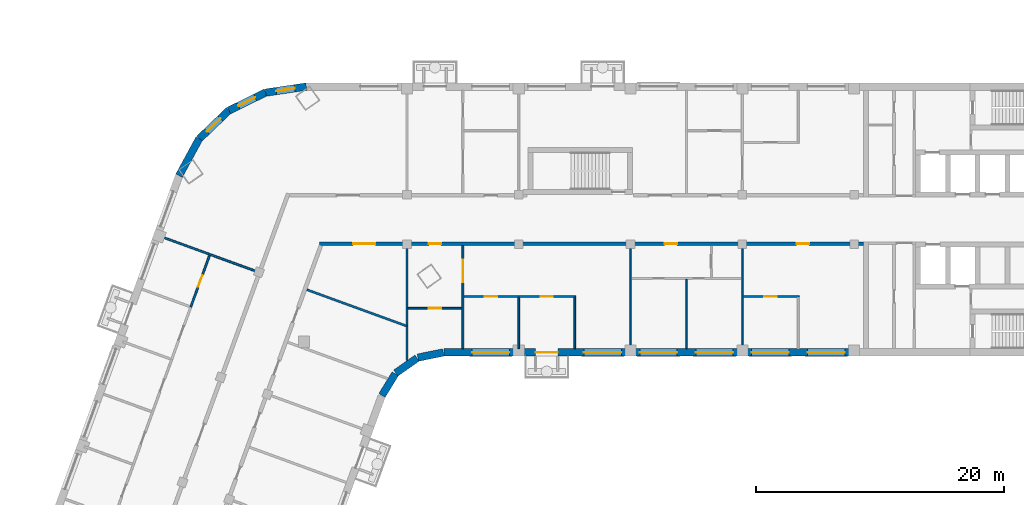
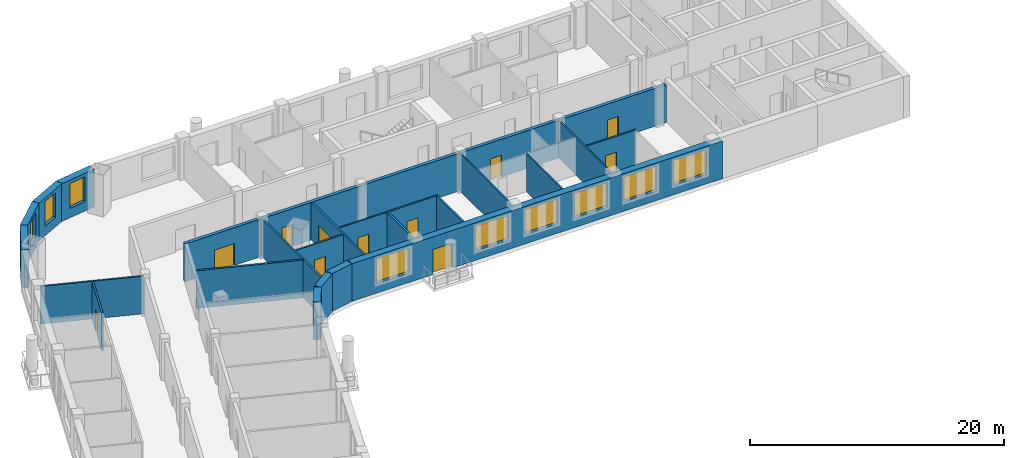
# One storey, part 4 of 16: 23 walls, 11 doors, 9 windows, 20 openings.
"""IFC4 building model written with IfcOpenShell, lengths in metres."""

from ifc_helpers import new_model, si_unit, direction, frame, frame_2d, origin, place, context, subcontext, project, spatial, rectangle, extrude, material, layer, layer_set, type_object, element, fill, save


model = new_model("IFC4")

# Units and contexts
model_context = context("Model", 3, precision=1e-05, world=origin(), true_north=direction((0.0, 1.0)))
body_context = subcontext(model_context, "Body", "Model", "MODEL_VIEW")
ifc_project = project(units=[si_unit("LENGTHUNIT", "METRE"), si_unit("AREAUNIT", "SQUARE_METRE"), si_unit("VOLUMEUNIT", "CUBIC_METRE"), si_unit("PLANEANGLEUNIT", "RADIAN"), si_unit("MASSUNIT", "GRAM", prefix="KILO")], contexts=[model_context])

# Site, building, storey
site_placement = place(None, origin())
site = spatial("IfcSite", under=ifc_project, at=site_placement, CompositionType="ELEMENT")
building_placement = place(site_placement, origin())
building = spatial("IfcBuilding", under=site, at=building_placement, Name="Skarvind Civic Tower", CompositionType="ELEMENT")
storey_placement = place(building_placement, frame((0.0, 0.0, 43.5)))
storey = spatial("IfcBuildingStorey", under=building, at=storey_placement, Name="L09", CompositionType="ELEMENT", Elevation=43.5)

# Walls
ifc_material_1 = material(Name="Acoustic gypsum board on steel studs", Category="steel")
ifc_layer_1 = layer(ifc_material_1, 0.175048828125)
ifc_layer_set_1 = layer_set([ifc_layer_1], Name="ACOUSTIC MEETING-ROOM PARTITION 175")
wall_type_1 = type_object("IfcWallType", Name="ACOUSTIC MEETING-ROOM PARTITION 175", PredefinedType="PARTITIONING", material=ifc_layer_set_1)
wall_1_placement = place(storey_placement, frame((54.25, 116.636962890625, 0.0), z_axis=(0.0, 0.0, 1.0), x_axis=(0.0, 1.0, 0.0)))
element("IfcWall", 1, at=wall_1_placement, inside=storey, type_object=wall_type_1, Name="Partition 09.018", PredefinedType="PARTITIONING", context=body_context, shape_type="SweptSolid", body=[
    extrude(rectangle(XDim=2.776123046875, YDim=0.175048828125, at=frame_2d((1.38818359375, 0.0))), origin(), (0.0, 0.0, 1.0), 3.625),
])
wall_2_placement = place(storey_placement, frame((54.320068359375, 119.384033203125, 0.0), z_axis=(0.0, 0.0, 1.0), x_axis=(-0.939632908118, 0.342184157994, 0.0)))
element("IfcWall", 2, at=wall_2_placement, inside=storey, type_object=wall_type_1, Name="Partition 09.019", PredefinedType="PARTITIONING", context=body_context, shape_type="SweptSolid", body=[
    extrude(rectangle(XDim=8.665283203125, YDim=0.175048828125, at=frame_2d((4.33251953125, 0.0))), origin(), (0.0, 0.0, 1.0), 3.625),
])

# Wall, openings, doors
ifc_material_2 = material(Name="Fire-rated gypsum board on steel studs", Category="steel")
ifc_layer_2 = layer(ifc_material_2, 0.300048828125)
ifc_layer_set_2 = layer_set([ifc_layer_2], Name="CORRIDOR WALL 300")
wall_type_2 = type_object("IfcWallType", Name="CORRIDOR WALL 300", PredefinedType="PARTITIONING", material=ifc_layer_set_2)
wall_3_placement = place(storey_placement, frame((91.0, 126.050048828125, 0.0), z_axis=(0.0, 0.0, 1.0), x_axis=(-1.0, 0.0, 0.0)))
wall_3 = element("IfcWall", 3, at=wall_3_placement, inside=storey, type_object=wall_type_2, Name="Partition 09.043", PredefinedType="PARTITIONING", context=body_context, shape_type="SweptSolid", body=[
    extrude(rectangle(XDim=43.784912109375, YDim=0.300048828125, at=frame_2d((21.892578125, 0.0))), origin(), (0.0, 0.0, 1.0), 3.625),
])
opening_1_placement = place(wall_3_placement, frame((4.375, 0.0, 0.0)))
opening_1 = element("IfcOpeningElement", 4, at=opening_1_placement, cuts=wall_3, Name="Opening L09-D010", PredefinedType="OPENING", context=body_context, shape_type="SweptSolid", body=[
    extrude(rectangle(XDim=1.0, YDim=2.10009765625, at=frame_2d((0.5, 1.050048828125))), frame((0.0, 0.159912109375, 0.0), z_axis=(0.0, -1.0, 0.0), x_axis=(1.0, 0.0, 0.0)), (0.0, 0.0, 1.0), 0.320068359375),
])
opening_2_placement = place(wall_3_placement, frame((15.0, 0.0, 0.0)))
opening_2 = element("IfcOpeningElement", 5, at=opening_2_placement, cuts=wall_3, Name="Opening L09-D011", PredefinedType="OPENING", context=body_context, shape_type="SweptSolid", body=[
    extrude(rectangle(XDim=1.0, YDim=2.10009765625, at=frame_2d((0.5, 1.050048828125))), frame((0.0, 0.159912109375, 0.0), z_axis=(0.0, -1.0, 0.0), x_axis=(1.0, 0.0, 0.0)), (0.0, 0.0, 1.0), 0.320068359375),
])
opening_3_placement = place(wall_3_placement, frame((34.0, 0.0, 0.0)))
opening_3 = element("IfcOpeningElement", 6, at=opening_3_placement, cuts=wall_3, Name="Opening L09-D015", PredefinedType="OPENING", context=body_context, shape_type="SweptSolid", body=[
    extrude(rectangle(XDim=1.0, YDim=2.10009765625, at=frame_2d((0.5, 1.050048828125))), frame((0.0, 0.159912109375, 0.0), z_axis=(0.0, -1.0, 0.0), x_axis=(1.0, 0.0, 0.0)), (0.0, 0.0, 1.0), 0.320068359375),
])
opening_4_placement = place(wall_3_placement, frame((39.2958984375, 0.0, 0.0)))
opening_4 = element("IfcOpeningElement", 7, at=opening_4_placement, cuts=wall_3, Name="Opening L09-D033", PredefinedType="OPENING", context=body_context, shape_type="SweptSolid", body=[
    extrude(rectangle(XDim=1.800048828125, YDim=2.10009765625, at=frame_2d((0.89990234375, 1.050048828125))), frame((0.0, 0.159912109375, 0.0), z_axis=(0.0, -1.0, 0.0), x_axis=(1.0, 0.0, 0.0)), (0.0, 0.0, 1.0), 0.320068359375),
])
ifc_material_3 = material(Name="Fire-rated timber door leaf", Category="wood")
door_type_1 = type_object("IfcDoorType", Name="FD1 1000x2100", OperationType="NOTDEFINED", PredefinedType="DOOR", material=ifc_material_3)
door_1_placement = place(opening_1_placement, origin())
door_1 = element("IfcDoor", 8, at=door_1_placement, inside=storey, type_object=door_type_1, Name="Door L09-D010", OperationType="SINGLE_SWING_LEFT", OverallHeight=2.10009765625, OverallWidth=1.0, PredefinedType="DOOR", context=body_context, shape_type="SweptSolid", body=[
    extrude(rectangle(XDim=1.0, YDim=2.10009765625, at=frame_2d((0.5, 1.050048828125))), frame((0.0, 0.02490234375, 0.0), z_axis=(0.0, -1.0, 0.0), x_axis=(1.0, 0.0, 0.0)), (0.0, 0.0, 1.0), 0.050048828125),
])
fill(opening_1, door_1)
door_2_placement = place(opening_2_placement, origin())
door_2 = element("IfcDoor", 9, at=door_2_placement, inside=storey, type_object=door_type_1, Name="Door L09-D011", OperationType="SINGLE_SWING_LEFT", OverallHeight=2.10009765625, OverallWidth=1.0, PredefinedType="DOOR", context=body_context, shape_type="SweptSolid", body=[
    extrude(rectangle(XDim=1.0, YDim=2.10009765625, at=frame_2d((0.5, 1.050048828125))), frame((0.0, 0.02490234375, 0.0), z_axis=(0.0, -1.0, 0.0), x_axis=(1.0, 0.0, 0.0)), (0.0, 0.0, 1.0), 0.050048828125),
])
fill(opening_2, door_2)
door_3_placement = place(opening_3_placement, origin())
door_3 = element("IfcDoor", 10, at=door_3_placement, inside=storey, type_object=door_type_1, Name="Door L09-D015", OperationType="SINGLE_SWING_LEFT", OverallHeight=2.10009765625, OverallWidth=1.0, PredefinedType="DOOR", context=body_context, shape_type="SweptSolid", body=[
    extrude(rectangle(XDim=1.0, YDim=2.10009765625, at=frame_2d((0.5, 1.050048828125))), frame((0.0, 0.02490234375, 0.0), z_axis=(0.0, -1.0, 0.0), x_axis=(1.0, 0.0, 0.0)), (0.0, 0.0, 1.0), 0.050048828125),
])
fill(opening_3, door_3)
door_type_2 = type_object("IfcDoorType", Name="FD4 1800x2100", OperationType="NOTDEFINED", PredefinedType="DOOR", material=ifc_material_3)
door_4_placement = place(opening_4_placement, origin())
door_4 = element("IfcDoor", 11, at=door_4_placement, inside=storey, type_object=door_type_2, Name="Door L09-D033", OperationType="DOUBLE_DOOR_SINGLE_SWING", OverallHeight=2.10009765625, OverallWidth=1.800048828125, PredefinedType="DOOR", context=body_context, shape_type="SweptSolid", body=[
    extrude(rectangle(XDim=1.800048828125, YDim=2.10009765625, at=frame_2d((0.89990234375, 1.050048828125))), frame((0.0, 0.02490234375, 0.0), z_axis=(0.0, -1.0, 0.0), x_axis=(1.0, 0.0, 0.0)), (0.0, 0.0, 1.0), 0.050048828125),
])
fill(opening_4, door_4)

# Wall
ifc_material_4 = material(Name="Plasterboard partition on steel studs", Category="steel")
ifc_layer_3 = layer(ifc_material_4, 0.14990234375)
ifc_layer_set_3 = layer_set([ifc_layer_3], Name="PARTITION 150")
wall_type_3 = type_object("IfcWallType", Name="PARTITION 150", PredefinedType="PARTITIONING", material=ifc_layer_set_3)
wall_4_placement = place(storey_placement, frame((34.430908203125, 126.6240234375, 0.0), z_axis=(0.0, 0.0, 1.0), x_axis=(0.939687752599, -0.342033518263, 0.0)))
element("IfcWall", 12, at=wall_4_placement, inside=storey, type_object=wall_type_3, Name="Partition 09.007", PredefinedType="PARTITIONING", context=body_context, shape_type="SweptSolid", body=[
    extrude(rectangle(XDim=8.30078125, YDim=0.14990234375, at=frame_2d((4.150390625, 0.0))), origin(), (0.0, 0.0, 1.0), 3.625),
])

# Wall, opening, door
wall_5_placement = place(storey_placement, frame((38.35205078125, 125.116943359375, 0.0), z_axis=(0.0, 0.0, 1.0), x_axis=(-0.34193355862, -0.939724130524, 0.0)))
wall_5 = element("IfcWall", 13, at=wall_5_placement, inside=storey, type_object=wall_type_3, Name="Partition 09.010", PredefinedType="PARTITIONING", context=body_context, shape_type="SweptSolid", body=[
    extrude(rectangle(XDim=4.424560546875, YDim=0.14990234375, at=frame_2d((2.21240234375, 0.0))), origin(), (0.0, 0.0, 1.0), 3.625),
])
opening_5_placement = place(wall_5_placement, frame((1.702392578125, 0.0, 0.0)))
opening_5 = element("IfcOpeningElement", 14, at=opening_5_placement, cuts=wall_5, Name="Opening L09-D024", PredefinedType="OPENING", context=body_context, shape_type="SweptSolid", body=[
    extrude(rectangle(XDim=1.0, YDim=2.10009765625, at=frame_2d((0.5, 1.050048828125))), frame((0.0, 0.0849609375, 0.0), z_axis=(0.0, -1.0, 0.0), x_axis=(1.0, 0.0, 0.0)), (0.0, 0.0, 1.0), 0.169921875),
])
ifc_material_5 = material(Name="Timber door leaf", Category="wood")
door_type_3 = type_object("IfcDoorType", Name="D1 1000x2100", OperationType="NOTDEFINED", PredefinedType="DOOR", material=ifc_material_5)
door_5_placement = place(opening_5_placement, origin())
door_5 = element("IfcDoor", 15, at=door_5_placement, inside=storey, type_object=door_type_3, Name="Door L09-D024", OperationType="SINGLE_SWING_RIGHT", OverallHeight=2.10009765625, OverallWidth=1.0, PredefinedType="DOOR", context=body_context, shape_type="SweptSolid", body=[
    extrude(rectangle(XDim=1.0, YDim=2.10009765625, at=frame_2d((0.5, 1.050048828125))), frame((0.0, 0.02490234375, 0.0), z_axis=(0.0, -1.0, 0.0), x_axis=(1.0, 0.0, 0.0)), (0.0, 0.0, 1.0), 0.050048828125),
])
fill(opening_5, door_5)

# Wall
wall_6_placement = place(storey_placement, frame((54.25, 119.498046875, 0.0), z_axis=(0.0, 0.0, 1.0), x_axis=(0.0, 1.0, 0.0)))
element("IfcWall", 16, at=wall_6_placement, inside=storey, type_object=wall_type_3, Name="Partition 09.020", PredefinedType="PARTITIONING", context=body_context, shape_type="SweptSolid", body=[
    extrude(rectangle(XDim=6.40185546875, YDim=0.14990234375, at=frame_2d((3.200927734375, 0.0))), origin(), (0.0, 0.0, 1.0), 3.625),
])

# Wall, opening, door
wall_7_placement = place(storey_placement, frame((54.324951171875, 120.85009765625, 0.0), z_axis=(0.0, 0.0, 1.0), x_axis=(1.0, 0.0, 0.0)))
wall_7 = element("IfcWall", 17, at=wall_7_placement, inside=storey, type_object=wall_type_3, Name="Partition 09.021", PredefinedType="PARTITIONING", context=body_context, shape_type="SweptSolid", body=[
    extrude(rectangle(XDim=4.35009765625, YDim=0.14990234375, at=frame_2d((2.175048828125, 0.0))), origin(), (0.0, 0.0, 1.0), 3.625),
])
opening_6_placement = place(wall_7_placement, frame((1.675048828125, 0.0, 0.0)))
opening_6 = element("IfcOpeningElement", 18, at=opening_6_placement, cuts=wall_7, Name="Opening L09-D018", PredefinedType="OPENING", context=body_context, shape_type="SweptSolid", body=[
    extrude(rectangle(XDim=1.0, YDim=2.10009765625, at=frame_2d((0.5, 1.050048828125))), frame((0.0, 0.0849609375, 0.0), z_axis=(0.0, -1.0, 0.0), x_axis=(1.0, 0.0, 0.0)), (0.0, 0.0, 1.0), 0.169921875),
])
door_6_placement = place(opening_6_placement, origin())
door_6 = element("IfcDoor", 19, at=door_6_placement, inside=storey, type_object=door_type_3, Name="Door L09-D018", OperationType="SINGLE_SWING_LEFT", OverallHeight=2.10009765625, OverallWidth=1.0, PredefinedType="DOOR", context=body_context, shape_type="SweptSolid", body=[
    extrude(rectangle(XDim=1.0, YDim=2.10009765625, at=frame_2d((0.5, 1.050048828125))), frame((0.0, 0.02490234375, 0.0), z_axis=(0.0, -1.0, 0.0), x_axis=(1.0, 0.0, 0.0)), (0.0, 0.0, 1.0), 0.050048828125),
])
fill(opening_6, door_6)

wall_8_placement = place(storey_placement, frame((58.75, 117.60009765625, 0.0), z_axis=(0.0, 0.0, 1.0), x_axis=(0.0, 1.0, 0.0)))
wall_8 = element("IfcWall", 20, at=wall_8_placement, inside=storey, type_object=wall_type_3, Name="Partition 09.023", PredefinedType="PARTITIONING", context=body_context, shape_type="SweptSolid", body=[
    extrude(rectangle(XDim=8.2998046875, YDim=0.14990234375, at=frame_2d((4.14990234375, 0.0))), origin(), (0.0, 0.0, 1.0), 3.625),
])
opening_7_placement = place(wall_8_placement, frame((5.360107421875, 0.0, 0.0)))
opening_7 = element("IfcOpeningElement", 21, at=opening_7_placement, cuts=wall_8, Name="Opening L09-D019", PredefinedType="OPENING", context=body_context, shape_type="SweptSolid", body=[
    extrude(rectangle(XDim=1.800048828125, YDim=2.10009765625, at=frame_2d((0.89990234375, 1.050048828125))), frame((0.0, 0.0849609375, 0.0), z_axis=(0.0, -1.0, 0.0), x_axis=(1.0, 0.0, 0.0)), (0.0, 0.0, 1.0), 0.169921875),
])
door_type_4 = type_object("IfcDoorType", Name="D4 1800x2100", OperationType="NOTDEFINED", PredefinedType="DOOR", material=ifc_material_5)
door_7_placement = place(opening_7_placement, origin())
door_7 = element("IfcDoor", 22, at=door_7_placement, inside=storey, type_object=door_type_4, Name="Door L09-D019", OperationType="DOUBLE_DOOR_SINGLE_SWING", OverallHeight=2.10009765625, OverallWidth=1.800048828125, PredefinedType="DOOR", context=body_context, shape_type="SweptSolid", body=[
    extrude(rectangle(XDim=1.800048828125, YDim=2.10009765625, at=frame_2d((0.89990234375, 1.050048828125))), frame((0.0, 0.02490234375, 0.0), z_axis=(0.0, -1.0, 0.0), x_axis=(1.0, 0.0, 0.0)), (0.0, 0.0, 1.0), 0.050048828125),
])
fill(opening_7, door_7)

# Wall, openings, doors
wall_9_placement = place(storey_placement, frame((58.824951171875, 121.800048828125, 0.0), z_axis=(0.0, 0.0, 1.0), x_axis=(1.0, 0.0, 0.0)))
wall_9 = element("IfcWall", 23, at=wall_9_placement, inside=storey, type_object=wall_type_3, Name="Partition 09.024", PredefinedType="PARTITIONING", context=body_context, shape_type="SweptSolid", body=[
    extrude(rectangle(XDim=9.0, YDim=0.14990234375, at=frame_2d((4.5, 0.0))), origin(), (0.0, 0.0, 1.0), 3.625),
])
opening_8_placement = place(wall_9_placement, frame((1.702392578125, 0.0, 0.0)))
opening_8 = element("IfcOpeningElement", 24, at=opening_8_placement, cuts=wall_9, Name="Opening L09-D016", PredefinedType="OPENING", context=body_context, shape_type="SweptSolid", body=[
    extrude(rectangle(XDim=1.0, YDim=2.10009765625, at=frame_2d((0.5, 1.050048828125))), frame((0.0, 0.0849609375, 0.0), z_axis=(0.0, -1.0, 0.0), x_axis=(1.0, 0.0, 0.0)), (0.0, 0.0, 1.0), 0.169921875),
])
opening_9_placement = place(wall_9_placement, frame((6.175048828125, 0.0, 0.0)))
opening_9 = element("IfcOpeningElement", 25, at=opening_9_placement, cuts=wall_9, Name="Opening L09-D017", PredefinedType="OPENING", context=body_context, shape_type="SweptSolid", body=[
    extrude(rectangle(XDim=1.0, YDim=2.10009765625, at=frame_2d((0.5, 1.050048828125))), frame((0.0, 0.0849609375, 0.0), z_axis=(0.0, -1.0, 0.0), x_axis=(1.0, 0.0, 0.0)), (0.0, 0.0, 1.0), 0.169921875),
])
door_8_placement = place(opening_8_placement, origin())
door_8 = element("IfcDoor", 26, at=door_8_placement, inside=storey, type_object=door_type_3, Name="Door L09-D016", OperationType="SINGLE_SWING_LEFT", OverallHeight=2.10009765625, OverallWidth=1.0, PredefinedType="DOOR", context=body_context, shape_type="SweptSolid", body=[
    extrude(rectangle(XDim=1.0, YDim=2.10009765625, at=frame_2d((0.5, 1.050048828125))), frame((0.0, 0.02490234375, 0.0), z_axis=(0.0, -1.0, 0.0), x_axis=(1.0, 0.0, 0.0)), (0.0, 0.0, 1.0), 0.050048828125),
])
fill(opening_8, door_8)
door_9_placement = place(opening_9_placement, origin())
door_9 = element("IfcDoor", 27, at=door_9_placement, inside=storey, type_object=door_type_3, Name="Door L09-D017", OperationType="SINGLE_SWING_RIGHT", OverallHeight=2.10009765625, OverallWidth=1.0, PredefinedType="DOOR", context=body_context, shape_type="SweptSolid", body=[
    extrude(rectangle(XDim=1.0, YDim=2.10009765625, at=frame_2d((0.5, 1.050048828125))), frame((0.0, 0.02490234375, 0.0), z_axis=(0.0, -1.0, 0.0), x_axis=(1.0, 0.0, 0.0)), (0.0, 0.0, 1.0), 0.050048828125),
])
fill(opening_9, door_9)

# Walls
for number, where, z_axis, x_axis, name in (
    (28, (63.25, 121.72509765625, 0.0), (0.0, 0.0, 1.0), (0.0, -1.0, 0.0), "Partition 09.026"),
    (29, (67.75, 117.60009765625, 0.0), (0.0, 0.0, 1.0), (0.0, 1.0, 0.0), "Partition 09.029"),
):
    element("IfcWall", number, at=place(storey_placement, frame(where, z_axis=z_axis, x_axis=x_axis)), inside=storey, type_object=wall_type_3, Name=name, PredefinedType="PARTITIONING", context=body_context, shape_type="SweptSolid", body=[
        extrude(rectangle(XDim=4.125, YDim=0.14990234375, at=frame_2d((2.0625, 0.0))), origin(), (0.0, 0.0, 1.0), 3.625),
    ])

# Wall, opening, door
wall_10_placement = place(storey_placement, frame((81.31201171875, 121.800048828125, 0.0), z_axis=(0.0, 0.0, 1.0), x_axis=(1.0, 0.0, 0.0)))
wall_10 = element("IfcWall", 30, at=wall_10_placement, inside=storey, type_object=wall_type_3, Name="Partition 09.041", PredefinedType="PARTITIONING", context=body_context, shape_type="SweptSolid", body=[
    extrude(rectangle(XDim=4.512939453125, YDim=0.14990234375, at=frame_2d((2.25634765625, 0.0))), origin(), (0.0, 0.0, 1.0), 3.625),
])
opening_10_placement = place(wall_10_placement, frame((1.708984375, 0.0, 0.0)))
opening_10 = element("IfcOpeningElement", 31, at=opening_10_placement, cuts=wall_10, Name="Opening L09-D009", PredefinedType="OPENING", context=body_context, shape_type="SweptSolid", body=[
    extrude(rectangle(XDim=1.0, YDim=2.10009765625, at=frame_2d((0.5, 1.050048828125))), frame((0.0, 0.0849609375, 0.0), z_axis=(0.0, -1.0, 0.0), x_axis=(1.0, 0.0, 0.0)), (0.0, 0.0, 1.0), 0.169921875),
])
door_10_placement = place(opening_10_placement, origin())
door_10 = element("IfcDoor", 32, at=door_10_placement, inside=storey, type_object=door_type_3, Name="Door L09-D009", OperationType="SINGLE_SWING_LEFT", OverallHeight=2.10009765625, OverallWidth=1.0, PredefinedType="DOOR", context=body_context, shape_type="SweptSolid", body=[
    extrude(rectangle(XDim=1.0, YDim=2.10009765625, at=frame_2d((0.5, 1.050048828125))), frame((0.0, 0.02490234375, 0.0), z_axis=(0.0, -1.0, 0.0), x_axis=(1.0, 0.0, 0.0)), (0.0, 0.0, 1.0), 0.050048828125),
])
fill(opening_10, door_10)

# Walls
ifc_material_6 = material(Name="Moisture-resistant gypsum board on steel studs", Category="steel")
ifc_layer_4 = layer(ifc_material_6, 0.125)
ifc_layer_set_4 = layer_set([ifc_layer_4], Name="WC PARTITION 125")
wall_type_4 = type_object("IfcWallType", Name="WC PARTITION 125", PredefinedType="PARTITIONING", material=ifc_layer_set_4)
wall_11_placement = place(storey_placement, frame((72.25, 117.60009765625, 0.0), z_axis=(0.0, 0.0, 1.0), x_axis=(0.0, 1.0, 0.0)))
element("IfcWall", 33, at=wall_11_placement, inside=storey, type_object=wall_type_4, Name="Partition 09.030", PredefinedType="PARTITIONING", context=body_context, shape_type="SweptSolid", body=[
    extrude(rectangle(XDim=8.2998046875, YDim=0.125, at=frame_2d((4.14990234375, 0.0))), origin(), (0.0, 0.0, 1.0), 3.625),
])
wall_12_placement = place(storey_placement, frame((76.75, 117.60009765625, 0.0), z_axis=(0.0, 0.0, 1.0), x_axis=(0.0, 1.0, 0.0)))
element("IfcWall", 34, at=wall_12_placement, inside=storey, type_object=wall_type_4, Name="Partition 09.033", PredefinedType="PARTITIONING", context=body_context, shape_type="SweptSolid", body=[
    extrude(rectangle(XDim=5.587890625, YDim=0.125, at=frame_2d((2.7939453125, 0.0))), origin(), (0.0, 0.0, 1.0), 3.625),
])
wall_13_placement = place(storey_placement, frame((81.25, 117.60009765625, 0.0), z_axis=(0.0, 0.0, 1.0), x_axis=(0.0, 1.0, 0.0)))
element("IfcWall", 35, at=wall_13_placement, inside=storey, type_object=wall_type_4, Name="Partition 09.036", PredefinedType="PARTITIONING", context=body_context, shape_type="SweptSolid", body=[
    extrude(rectangle(XDim=8.2998046875, YDim=0.125, at=frame_2d((4.14990234375, 0.0))), origin(), (0.0, 0.0, 1.0), 3.625),
])
ifc_material_7 = material(Name="Limestone masonry cladding on insulated backing", Category="masonry")
ifc_layer_5 = layer(ifc_material_7, 0.60009765625)
ifc_layer_set_5 = layer_set([ifc_layer_5], Name="WX1 STONE FACADE WALL 600")
wall_type_5 = type_object("IfcWallType", Name="WX1 STONE FACADE WALL 600", PredefinedType="SOLIDWALL", material=ifc_layer_set_5)
wall_14_placement = place(storey_placement, frame((53.30517578125, 115.578369140625, 0.0), z_axis=(0.0, 0.0, 1.0), x_axis=(-0.522402266438, -0.852699168535, 0.0)))
element("IfcWall", 36, at=wall_14_placement, inside=storey, type_object=wall_type_5, Name="STONE FACADE WALL", PredefinedType="SOLIDWALL", context=body_context, shape_type="SweptSolid", body=[
    extrude(rectangle(XDim=2.042236328125, YDim=0.60009765625, at=frame_2d((1.02099609375, 0.0))), origin(), (0.0, 0.0, 1.0), 3.625),
])
for number, where, z_axis, x_axis, name in (
    (37, (55.061767578125, 116.8388671875, 0.0), (0.0, 0.0, 1.0), (-0.819122269495, -0.573618956815, 0.0), "STONE FACADE WALL"),
    (38, (57.17529296875, 117.2939453125, 0.0), (0.0, 0.0, 1.0), (-0.97996099083, -0.19918949885, 0.0), "STONE FACADE WALL"),
):
    element("IfcWall", number, at=place(storey_placement, frame(where, z_axis=z_axis, x_axis=x_axis)), inside=storey, type_object=wall_type_5, Name=name, PredefinedType="SOLIDWALL", context=body_context, shape_type="SweptSolid", body=[
        extrude(rectangle(XDim=2.09228515625, YDim=0.60009765625, at=frame_2d((1.046142578125, 0.0))), origin(), (0.0, 0.0, 1.0), 3.625),
    ])

# Wall, openings, door, windows
wall_15_placement = place(storey_placement, frame((90.97998046875, 117.300048828125, 0.0), z_axis=(0.0, 0.0, 1.0), x_axis=(-1.0, 0.0, 0.0)))
wall_15 = element("IfcWall", 39, at=wall_15_placement, inside=storey, type_object=wall_type_5, Name="STONE FACADE WALL", PredefinedType="SOLIDWALL", context=body_context, shape_type="SweptSolid", body=[
    extrude(rectangle(XDim=33.744873046875, YDim=0.60009765625, at=frame_2d((16.87255859375, 0.0))), origin(), (0.0, 0.0, 1.0), 3.625),
])
opening_11_placement = place(wall_15_placement, frame((1.47998046875, 0.0, 0.89990234375)))
opening_11 = element("IfcOpeningElement", 40, at=opening_11_placement, cuts=wall_15, Name="Opening WN1", PredefinedType="OPENING", context=body_context, shape_type="SweptSolid", body=[
    extrude(rectangle(XDim=3.0, YDim=2.39990234375, at=frame_2d((1.5, 1.199951171875))), frame((0.0, 0.31005859375, 0.0), z_axis=(0.0, -1.0, 0.0), x_axis=(1.0, 0.0, 0.0)), (0.0, 0.0, 1.0), 0.6201171875),
])
opening_12_placement = place(wall_15_placement, frame((5.97998046875, 0.0, 0.89990234375)))
opening_12 = element("IfcOpeningElement", 41, at=opening_12_placement, cuts=wall_15, Name="Opening WN1", PredefinedType="OPENING", context=body_context, shape_type="SweptSolid", body=[
    extrude(rectangle(XDim=3.0, YDim=2.39990234375, at=frame_2d((1.5, 1.199951171875))), frame((0.0, 0.31005859375, 0.0), z_axis=(0.0, -1.0, 0.0), x_axis=(1.0, 0.0, 0.0)), (0.0, 0.0, 1.0), 0.6201171875),
])
opening_13_placement = place(wall_15_placement, frame((10.47998046875, 0.0, 0.89990234375)))
opening_13 = element("IfcOpeningElement", 42, at=opening_13_placement, cuts=wall_15, Name="Opening WN1", PredefinedType="OPENING", context=body_context, shape_type="SweptSolid", body=[
    extrude(rectangle(XDim=3.0, YDim=2.39990234375, at=frame_2d((1.5, 1.199951171875))), frame((0.0, 0.31005859375, 0.0), z_axis=(0.0, -1.0, 0.0), x_axis=(1.0, 0.0, 0.0)), (0.0, 0.0, 1.0), 0.6201171875),
])
opening_14_placement = place(wall_15_placement, frame((14.97998046875, 0.0, 0.89990234375)))
opening_14 = element("IfcOpeningElement", 43, at=opening_14_placement, cuts=wall_15, Name="Opening WN1", PredefinedType="OPENING", context=body_context, shape_type="SweptSolid", body=[
    extrude(rectangle(XDim=3.0, YDim=2.39990234375, at=frame_2d((1.5, 1.199951171875))), frame((0.0, 0.31005859375, 0.0), z_axis=(0.0, -1.0, 0.0), x_axis=(1.0, 0.0, 0.0)), (0.0, 0.0, 1.0), 0.6201171875),
])
opening_15_placement = place(wall_15_placement, frame((19.47998046875, 0.0, 0.89990234375)))
opening_15 = element("IfcOpeningElement", 44, at=opening_15_placement, cuts=wall_15, Name="Opening WN1", PredefinedType="OPENING", context=body_context, shape_type="SweptSolid", body=[
    extrude(rectangle(XDim=3.0, YDim=2.39990234375, at=frame_2d((1.5, 1.199951171875))), frame((0.0, 0.31005859375, 0.0), z_axis=(0.0, -1.0, 0.0), x_axis=(1.0, 0.0, 0.0)), (0.0, 0.0, 1.0), 0.6201171875),
])
opening_16_placement = place(wall_15_placement, frame((24.580078125, 0.0, 0.0)))
opening_16 = element("IfcOpeningElement", 45, at=opening_16_placement, cuts=wall_15, Name="Opening DX3", PredefinedType="OPENING", context=body_context, shape_type="SweptSolid", body=[
    extrude(rectangle(XDim=1.800048828125, YDim=2.39990234375, at=frame_2d((0.89990234375, 1.199951171875))), frame((0.0, 0.31005859375, 0.0), z_axis=(0.0, -1.0, 0.0), x_axis=(1.0, 0.0, 0.0)), (0.0, 0.0, 1.0), 0.6201171875),
])
opening_17_placement = place(wall_15_placement, frame((28.47998046875, 0.0, 0.89990234375)))
opening_17 = element("IfcOpeningElement", 46, at=opening_17_placement, cuts=wall_15, Name="Opening WN1", PredefinedType="OPENING", context=body_context, shape_type="SweptSolid", body=[
    extrude(rectangle(XDim=3.0, YDim=2.39990234375, at=frame_2d((1.5, 1.199951171875))), frame((0.0, 0.31005859375, 0.0), z_axis=(0.0, -1.0, 0.0), x_axis=(1.0, 0.0, 0.0)), (0.0, 0.0, 1.0), 0.6201171875),
])
ifc_material_8 = material(Name="Timber and glass doorset", Category="wood")
door_type_5 = type_object("IfcDoorType", Name="DX3 TERRACE DOORS 1800 x 2400", OperationType="NOTDEFINED", PredefinedType="DOOR", material=ifc_material_8)
door_11_placement = place(opening_16_placement, origin())
door_11 = element("IfcDoor", 47, at=door_11_placement, inside=storey, type_object=door_type_5, Name="TERRACE DOORS", OperationType="DOUBLE_DOOR_SINGLE_SWING", OverallHeight=2.39990234375, OverallWidth=1.800048828125, PredefinedType="DOOR", context=body_context, shape_type="SweptSolid", body=[
    extrude(rectangle(XDim=1.800048828125, YDim=2.39990234375, at=frame_2d((0.89990234375, 1.199951171875))), frame((0.0, 0.02490234375, 0.0), z_axis=(0.0, -1.0, 0.0), x_axis=(1.0, 0.0, 0.0)), (0.0, 0.0, 1.0), 0.050048828125),
])
fill(opening_16, door_11)
ifc_material_9 = material(Name="Timber frame, double glazing, timber-lined reveal", Category="wood")
window_type_1 = type_object("IfcWindowType", Name="WN1 PUNCHED STONE WINDOW 3000 x 2400", PartitioningType="SINGLE_PANEL", PredefinedType="WINDOW", material=ifc_material_9)
window_1_placement = place(opening_11_placement, origin())
window_1 = element("IfcWindow", 48, at=window_1_placement, inside=storey, type_object=window_type_1, Name="WN1 WINDOW", OverallHeight=2.39990234375, OverallWidth=3.0, PartitioningType="SINGLE_PANEL", PredefinedType="WINDOW", context=body_context, shape_type="SweptSolid", body=[
    extrude(rectangle(XDim=3.0, YDim=2.39990234375, at=frame_2d((1.5, 1.199951171875))), frame((0.0, 0.030029296875, 0.0), z_axis=(0.0, -1.0, 0.0), x_axis=(1.0, 0.0, 0.0)), (0.0, 0.0, 1.0), 0.06005859375),
])
fill(opening_11, window_1)
window_2_placement = place(opening_12_placement, origin())
window_2 = element("IfcWindow", 49, at=window_2_placement, inside=storey, type_object=window_type_1, Name="WN1 WINDOW", OverallHeight=2.39990234375, OverallWidth=3.0, PartitioningType="SINGLE_PANEL", PredefinedType="WINDOW", context=body_context, shape_type="SweptSolid", body=[
    extrude(rectangle(XDim=3.0, YDim=2.39990234375, at=frame_2d((1.5, 1.199951171875))), frame((0.0, 0.030029296875, 0.0), z_axis=(0.0, -1.0, 0.0), x_axis=(1.0, 0.0, 0.0)), (0.0, 0.0, 1.0), 0.06005859375),
])
fill(opening_12, window_2)
window_3_placement = place(opening_13_placement, origin())
window_3 = element("IfcWindow", 50, at=window_3_placement, inside=storey, type_object=window_type_1, Name="WN1 WINDOW", OverallHeight=2.39990234375, OverallWidth=3.0, PartitioningType="SINGLE_PANEL", PredefinedType="WINDOW", context=body_context, shape_type="SweptSolid", body=[
    extrude(rectangle(XDim=3.0, YDim=2.39990234375, at=frame_2d((1.5, 1.199951171875))), frame((0.0, 0.030029296875, 0.0), z_axis=(0.0, -1.0, 0.0), x_axis=(1.0, 0.0, 0.0)), (0.0, 0.0, 1.0), 0.06005859375),
])
fill(opening_13, window_3)
window_4_placement = place(opening_14_placement, origin())
window_4 = element("IfcWindow", 51, at=window_4_placement, inside=storey, type_object=window_type_1, Name="WN1 WINDOW", OverallHeight=2.39990234375, OverallWidth=3.0, PartitioningType="SINGLE_PANEL", PredefinedType="WINDOW", context=body_context, shape_type="SweptSolid", body=[
    extrude(rectangle(XDim=3.0, YDim=2.39990234375, at=frame_2d((1.5, 1.199951171875))), frame((0.0, 0.030029296875, 0.0), z_axis=(0.0, -1.0, 0.0), x_axis=(1.0, 0.0, 0.0)), (0.0, 0.0, 1.0), 0.06005859375),
])
fill(opening_14, window_4)
window_5_placement = place(opening_15_placement, origin())
window_5 = element("IfcWindow", 52, at=window_5_placement, inside=storey, type_object=window_type_1, Name="WN1 WINDOW", OverallHeight=2.39990234375, OverallWidth=3.0, PartitioningType="SINGLE_PANEL", PredefinedType="WINDOW", context=body_context, shape_type="SweptSolid", body=[
    extrude(rectangle(XDim=3.0, YDim=2.39990234375, at=frame_2d((1.5, 1.199951171875))), frame((0.0, 0.030029296875, 0.0), z_axis=(0.0, -1.0, 0.0), x_axis=(1.0, 0.0, 0.0)), (0.0, 0.0, 1.0), 0.06005859375),
])
fill(opening_15, window_5)
window_6_placement = place(opening_17_placement, origin())
window_6 = element("IfcWindow", 53, at=window_6_placement, inside=storey, type_object=window_type_1, Name="WN1 WINDOW", OverallHeight=2.39990234375, OverallWidth=3.0, PartitioningType="SINGLE_PANEL", PredefinedType="WINDOW", context=body_context, shape_type="SweptSolid", body=[
    extrude(rectangle(XDim=3.0, YDim=2.39990234375, at=frame_2d((1.5, 1.199951171875))), frame((0.0, 0.030029296875, 0.0), z_axis=(0.0, -1.0, 0.0), x_axis=(1.0, 0.0, 0.0)), (0.0, 0.0, 1.0), 0.06005859375),
])
fill(opening_17, window_6)

# Wall, opening, window
wall_16_placement = place(storey_placement, frame((42.872802734375, 138.21728515625, 0.0), z_axis=(0.0, 0.0, 1.0), x_axis=(0.989110792192, 0.14717282619, 0.0)))
wall_16 = element("IfcWall", 54, at=wall_16_placement, inside=storey, type_object=wall_type_5, Name="STONE FACADE WALL", PredefinedType="SOLIDWALL", context=body_context, shape_type="SweptSolid", body=[
    extrude(rectangle(XDim=3.302734375, YDim=0.60009765625, at=frame_2d((1.6513671875, 0.0))), origin(), (0.0, 0.0, 1.0), 3.625),
])
opening_18_placement = place(wall_16_placement, frame((0.8564453125, 0.0, 0.89990234375)))
opening_18 = element("IfcOpeningElement", 55, at=opening_18_placement, cuts=wall_16, Name="Opening WN8", PredefinedType="OPENING", context=body_context, shape_type="SweptSolid", body=[
    extrude(rectangle(XDim=1.5, YDim=2.39990234375, at=frame_2d((0.75, 1.199951171875))), frame((0.0, 0.31005859375, 0.0), z_axis=(0.0, -1.0, 0.0), x_axis=(1.0, 0.0, 0.0)), (0.0, 0.0, 1.0), 0.6201171875),
])
window_type_2 = type_object("IfcWindowType", Name="WN8 ARC BAY WINDOW 1500 x 2400", PartitioningType="SINGLE_PANEL", PredefinedType="WINDOW", material=ifc_material_9)
window_7_placement = place(opening_18_placement, origin())
window_7 = element("IfcWindow", 56, at=window_7_placement, inside=storey, type_object=window_type_2, Name="WN8 WINDOW", OverallHeight=2.39990234375, OverallWidth=1.5, PartitioningType="SINGLE_PANEL", PredefinedType="WINDOW", context=body_context, shape_type="SweptSolid", body=[
    extrude(rectangle(XDim=1.5, YDim=2.39990234375, at=frame_2d((0.75, 1.199951171875))), frame((0.0, 0.030029296875, 0.0), z_axis=(0.0, -1.0, 0.0), x_axis=(1.0, 0.0, 0.0)), (0.0, 0.0, 1.0), 0.06005859375),
])
fill(opening_18, window_7)

wall_17_placement = place(storey_placement, frame((39.9072265625, 136.77587890625, 0.0), z_axis=(0.0, 0.0, 1.0), x_axis=(0.89761231107, 0.440785819889, 0.0)))
wall_17 = element("IfcWall", 57, at=wall_17_placement, inside=storey, type_object=wall_type_5, Name="STONE FACADE WALL", PredefinedType="SOLIDWALL", context=body_context, shape_type="SweptSolid", body=[
    extrude(rectangle(XDim=3.302734375, YDim=0.60009765625, at=frame_2d((1.6513671875, 0.0))), origin(), (0.0, 0.0, 1.0), 3.625),
])
opening_19_placement = place(wall_17_placement, frame((0.8564453125, 0.0, 0.89990234375)))
opening_19 = element("IfcOpeningElement", 58, at=opening_19_placement, cuts=wall_17, Name="Opening WN8", PredefinedType="OPENING", context=body_context, shape_type="SweptSolid", body=[
    extrude(rectangle(XDim=1.5, YDim=2.39990234375, at=frame_2d((0.75, 1.199951171875))), frame((0.0, 0.31005859375, 0.0), z_axis=(0.0, -1.0, 0.0), x_axis=(1.0, 0.0, 0.0)), (0.0, 0.0, 1.0), 0.6201171875),
])
window_8_placement = place(opening_19_placement, origin())
window_8 = element("IfcWindow", 59, at=window_8_placement, inside=storey, type_object=window_type_2, Name="WN8 WINDOW", OverallHeight=2.39990234375, OverallWidth=1.5, PartitioningType="SINGLE_PANEL", PredefinedType="WINDOW", context=body_context, shape_type="SweptSolid", body=[
    extrude(rectangle(XDim=1.5, YDim=2.39990234375, at=frame_2d((0.75, 1.199951171875))), frame((0.0, 0.030029296875, 0.0), z_axis=(0.0, -1.0, 0.0), x_axis=(1.0, 0.0, 0.0)), (0.0, 0.0, 1.0), 0.06005859375),
])
fill(opening_19, window_8)

wall_18_placement = place(storey_placement, frame((37.520263671875, 134.501220703125, 0.0), z_axis=(0.0, 0.0, 1.0), x_axis=(0.72115684486, 0.692771827596, 0.0)))
wall_18 = element("IfcWall", 60, at=wall_18_placement, inside=storey, type_object=wall_type_5, Name="STONE FACADE WALL", PredefinedType="SOLIDWALL", context=body_context, shape_type="SweptSolid", body=[
    extrude(rectangle(XDim=3.302734375, YDim=0.60009765625, at=frame_2d((1.6513671875, 0.0))), origin(), (0.0, 0.0, 1.0), 3.625),
])
opening_20_placement = place(wall_18_placement, frame((0.8564453125, 0.0, 0.89990234375)))
opening_20 = element("IfcOpeningElement", 61, at=opening_20_placement, cuts=wall_18, Name="Opening WN8", PredefinedType="OPENING", context=body_context, shape_type="SweptSolid", body=[
    extrude(rectangle(XDim=1.5, YDim=2.39990234375, at=frame_2d((0.75, 1.199951171875))), frame((0.0, 0.31005859375, 0.0), z_axis=(0.0, -1.0, 0.0), x_axis=(1.0, 0.0, 0.0)), (0.0, 0.0, 1.0), 0.6201171875),
])
window_9_placement = place(opening_20_placement, origin())
window_9 = element("IfcWindow", 62, at=window_9_placement, inside=storey, type_object=window_type_2, Name="WN8 WINDOW", OverallHeight=2.39990234375, OverallWidth=1.5, PartitioningType="SINGLE_PANEL", PredefinedType="WINDOW", context=body_context, shape_type="SweptSolid", body=[
    extrude(rectangle(XDim=1.5, YDim=2.39990234375, at=frame_2d((0.75, 1.199951171875))), frame((0.0, 0.030029296875, 0.0), z_axis=(0.0, -1.0, 0.0), x_axis=(1.0, 0.0, 0.0)), (0.0, 0.0, 1.0), 0.06005859375),
])
fill(opening_20, window_9)

# Wall
wall_19_placement = place(storey_placement, frame((35.89453125, 131.529541015625, 0.0), z_axis=(0.0, 0.0, 1.0), x_axis=(0.476531180538, 0.879157570618, 0.0)))
element("IfcWall", 63, at=wall_19_placement, inside=storey, type_object=wall_type_5, Name="STONE FACADE WALL", PredefinedType="SOLIDWALL", context=body_context, shape_type="SweptSolid", body=[
    extrude(rectangle(XDim=3.392578125, YDim=0.60009765625, at=frame_2d((1.6962890625, 0.0))), origin(), (0.0, 0.0, 1.0), 3.625),
])

save(model, "model.ifc")
